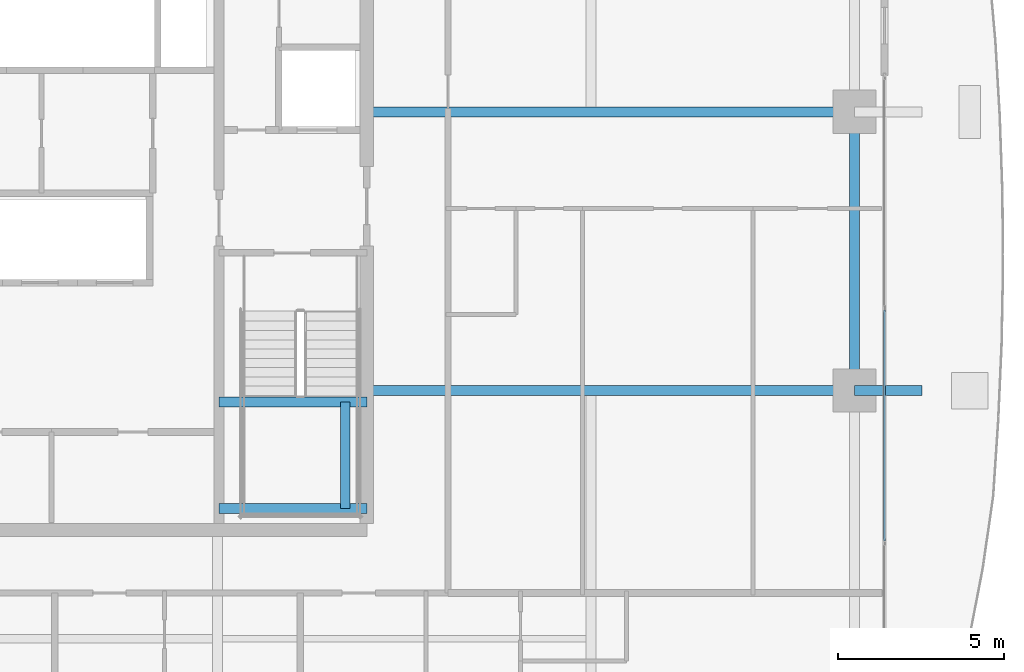
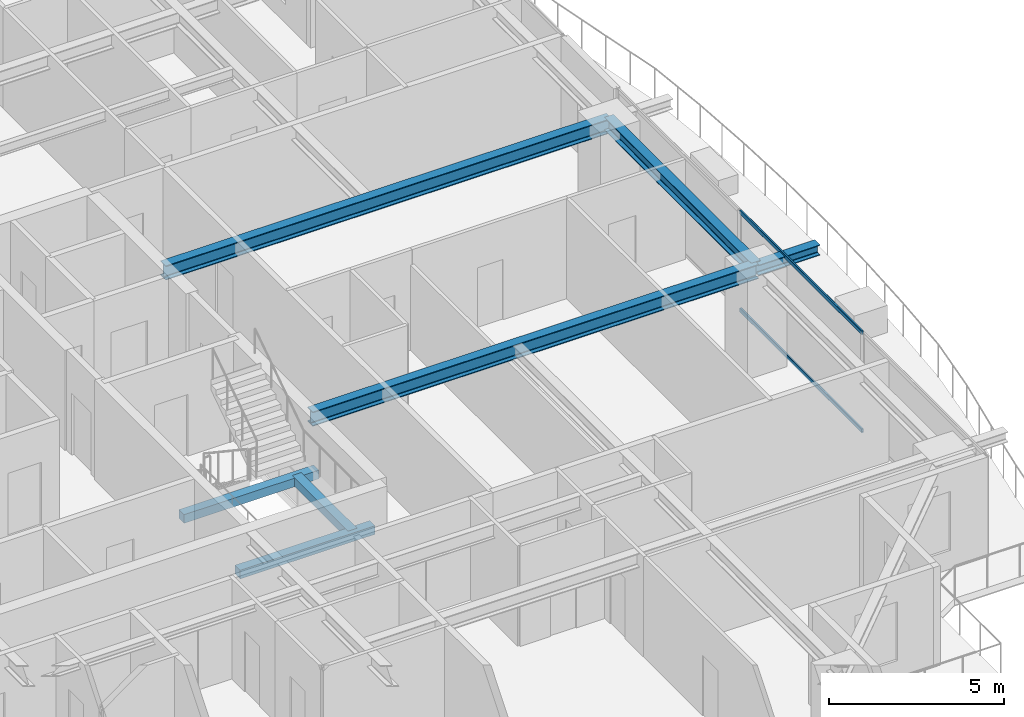
# One storey, part 12 of 33: 7 beams, 2 members, 1 element without a shape of its own.
"""IFC4 building model written with IfcOpenShell, lengths in metres."""

from ifc_helpers import new_model, si_unit, direction, frame, origin, origin_2d, place, context, subcontext, project, spatial, rectangle, hollow_rectangle, i_section, extrude, source, transform, mapped, material, layer, layer_set, material_profile, profile_set, type_object, element, aggregate, save


model = new_model("IFC4")

# Units and contexts
model_context = context("Model", 3, precision=1e-05, world=origin(), true_north=direction((0.0, 1.0)))
body_context = subcontext(model_context, "Body", "Model", "MODEL_VIEW")
ifc_project = project(units=[si_unit("LENGTHUNIT", "METRE"), si_unit("AREAUNIT", "SQUARE_METRE"), si_unit("VOLUMEUNIT", "CUBIC_METRE"), si_unit("PLANEANGLEUNIT", "RADIAN"), si_unit("MASSUNIT", "GRAM", prefix="KILO")], contexts=[model_context])

# Site, building, storey
site_placement = place(None, origin())
site = spatial("IfcSite", under=ifc_project, at=site_placement, CompositionType="ELEMENT")
building_placement = place(site_placement, origin())
building = spatial("IfcBuilding", under=site, at=building_placement, Name="Serunith Strait Residences", CompositionType="ELEMENT")
storey_placement = place(building_placement, frame((0.0, 0.0, 150.14990234375)))
storey = spatial("IfcBuildingStorey", under=building, at=storey_placement, Name="L37", CompositionType="ELEMENT", Elevation=150.14990234375)

# Beams
ifc_material_1 = material(Name="Steel S355J2", Category="steel")
ifc_material_profile_1 = material_profile(ifc_material_1, i_section(OverallWidth=0.300048828125, OverallDepth=0.449951171875, WebThickness=0.013916015625, FlangeThickness=0.02587890625, FilletRadius=0.027099609375, at=origin_2d()), Name="HEB 450")
ifc_profile_set_1 = profile_set([ifc_material_profile_1], Name="Steel S355J2")
beam_type_1 = type_object("IfcBeamType", Name="BM-HEB450", PredefinedType="BEAM", material=ifc_profile_set_1)
shared_shape_1 = source(origin(), body_context, "Body", "SweptSolid", [
    extrude(i_section(OverallWidth=0.300048828125, OverallDepth=0.449951171875, WebThickness=0.013916015625, FlangeThickness=0.02587890625, FilletRadius=0.027099609375, at=origin_2d()), origin(), (0.0, 0.0, 1.0), 8.39990234375),
])
beam_1_placement = place(storey_placement, frame((56.10009765625, 21.0, 3.26220703125), z_axis=(0.0, 1.0, 0.0), x_axis=(-1.0, 0.0, 0.0)))
element("IfcBeam", 1, at=beam_1_placement, inside=storey, type_object=beam_type_1, Name="L37 Perimeter Ring Beam 06", PredefinedType="BEAM", context=body_context, shape_type="MappedRepresentation", body=[
    mapped(shared_shape_1, transform((0.0, 0.0, 0.0), scale=1.0)),
])
ifc_material_profile_2 = material_profile(ifc_material_1, i_section(OverallWidth=0.300048828125, OverallDepth=0.5, WebThickness=0.014404296875, FlangeThickness=0.028076171875, FilletRadius=0.027099609375, at=origin_2d()), Name="HEB 500")
ifc_profile_set_2 = profile_set([ifc_material_profile_2], Name="Steel S355J2")
beam_type_2 = type_object("IfcBeamType", Name="BM-HEB500", PredefinedType="BEAM", material=ifc_profile_set_2)
shared_shape_2 = source(origin(), body_context, "Body", "SweptSolid", [
    extrude(i_section(OverallWidth=0.300048828125, OverallDepth=0.5, WebThickness=0.014404296875, FlangeThickness=0.028076171875, FilletRadius=0.027099609375, at=origin_2d()), origin(), (0.0, 0.0, 1.0), 14.7001953125),
])
for number, where, z_axis, x_axis, name in (
    (2, (41.39990234375, 21.0, 3.237060546875), (1.0, 0.0, 0.0), (0.0, 1.0, 0.0), "L37 Primary Floor Girder TC-E2"),
    (3, (41.39990234375, 29.39990234375, 3.237060546875), (1.0, 0.0, 0.0), (0.0, 1.0, 0.0), "L37 Primary Floor Girder TC-E3"),
):
    element("IfcBeam", number, at=place(storey_placement, frame(where, z_axis=z_axis, x_axis=x_axis)), inside=storey, type_object=beam_type_2, Name=name, PredefinedType="BEAM", context=body_context, shape_type="MappedRepresentation", body=[
        mapped(shared_shape_2, transform((0.0, 0.0, 0.0), scale=1.0)),
    ])
ifc_material_profile_3 = material_profile(ifc_material_1, i_section(OverallWidth=0.300048828125, OverallDepth=0.360107421875, WebThickness=0.012451171875, FlangeThickness=0.0224609375, FilletRadius=0.027099609375, at=origin_2d()), Name="HEB 360")
ifc_profile_set_3 = profile_set([ifc_material_profile_3], Name="Steel S355J2")
beam_type_3 = type_object("IfcBeamType", Name="BM-HEB360", PredefinedType="BEAM", material=ifc_profile_set_3)
shared_shape_3 = source(origin(), body_context, "Body", "SweptSolid", [
    extrude(i_section(OverallWidth=0.300048828125, OverallDepth=0.360107421875, WebThickness=0.012451171875, FlangeThickness=0.0224609375, FilletRadius=0.027099609375, at=origin_2d()), origin(), (0.0, 0.0, 1.0), 2.02978515625),
])
beam_2_placement = place(storey_placement, frame((56.10009765625, 21.0, 3.277099609375), z_axis=(1.0, 0.0, 0.0), x_axis=(0.0, 1.0, 0.0)))
element("IfcBeam", 4, at=beam_2_placement, inside=storey, type_object=beam_type_3, Name="L38 Cantilevered Balcony Rib TC-E2", PredefinedType="BEAM", context=body_context, shape_type="MappedRepresentation", body=[
    mapped(shared_shape_3, transform((0.0, 0.0, 0.0), scale=1.0)),
])
ifc_material_2 = material(Name="Concrete C60/75", Category="concrete")
ifc_material_profile_4 = material_profile(ifc_material_2, rectangle(XDim=0.300048828125, YDim=0.300048828125, at=origin_2d()), Name="RC 300x300")
ifc_profile_set_4 = profile_set([ifc_material_profile_4], Name="Concrete C60/75")
beam_type_4 = type_object("IfcBeamType", Name="BM-LAND-300x300", PredefinedType="BEAM", material=ifc_profile_set_4)
shared_shape_4 = source(origin(), body_context, "Body", "SweptSolid", [
    extrude(rectangle(XDim=0.300048828125, YDim=0.300048828125, at=origin_2d()), origin(), (0.0, 0.0, 1.0), 3.199951171875),
])
beam_3_placement = place(storey_placement, frame((40.75, 17.449951171875, 1.525146484375), z_axis=(0.0, 1.0, 0.0), x_axis=(-1.0, 0.0, 0.0)))
element("IfcBeam", 5, at=beam_3_placement, inside=storey, type_object=beam_type_4, Name="L37 ST-2 Landing Transverse Tie Beam", PredefinedType="BEAM", context=body_context, shape_type="MappedRepresentation", body=[
    mapped(shared_shape_4, transform((0.0, 0.0, 0.0), scale=1.0)),
])
shared_shape_5 = source(origin(), body_context, "Body", "SweptSolid", [
    extrude(rectangle(XDim=0.300048828125, YDim=0.300048828125, at=origin_2d()), origin(), (0.0, 0.0, 1.0), 4.449951171875),
])
for number, where, z_axis, x_axis, name in (
    (6, (36.949951171875, 17.449951171875, 1.525146484375), (1.0, 0.0, 0.0), (0.0, 1.0, 0.0), "L37 ST-2 Landing Support Beam 1"),
    (7, (36.949951171875, 20.64990234375, 1.525146484375), (1.0, 0.0, 0.0), (0.0, 1.0, 0.0), "L37 ST-2 Landing Support Beam 2"),
):
    element("IfcBeam", number, at=place(storey_placement, frame(where, z_axis=z_axis, x_axis=x_axis)), inside=storey, type_object=beam_type_4, Name=name, PredefinedType="BEAM", context=body_context, shape_type="MappedRepresentation", body=[
        mapped(shared_shape_5, transform((0.0, 0.0, 0.0), scale=1.0)),
    ])

# Curtain wall, members
ifc_material_3 = material(Name="Pale-Champagne Anodised Aluminium", Category="aluminium")
ifc_layer = layer(ifc_material_3, 0.199951171875, Name="Pale-Champagne Anodised Aluminium")
ifc_layer_set = layer_set([ifc_layer], Name="Pale-Champagne Anodised Aluminium")
curtain_wall_type = type_object("IfcCurtainWallType", Name="CW-SYS2", PredefinedType="NOTDEFINED", material=ifc_layer_set)
curtain_wall_placement = place(storey_placement, origin())
curtain_wall = element("IfcCurtainWall", 8, at=curtain_wall_placement, inside=storey, type_object=curtain_wall_type, Name="L37 E Unitised Fritted Curtain Wall", PredefinedType="NOTDEFINED")
ifc_material_profile_5 = material_profile(ifc_material_3, hollow_rectangle(XDim=0.06005859375, YDim=0.139892578125, WallThickness=0.00341796875, InnerFilletRadius=0.00537109375, OuterFilletRadius=0.0087890625, at=origin_2d()), Name="ALU 140x60x3.5")
ifc_profile_set_5 = profile_set([ifc_material_profile_5], Name="Pale-Champagne Anodised Aluminium")
member_type = type_object("IfcMemberType", Name="CW-SYS2-TRAN", PredefinedType="USERDEFINED", material=ifc_profile_set_5)
shared_shape_6 = source(origin(), body_context, "Body", "SweptSolid", [
    extrude(hollow_rectangle(XDim=0.06005859375, YDim=0.139892578125, WallThickness=0.00341796875, InnerFilletRadius=0.00537109375, OuterFilletRadius=0.0087890625, at=origin_2d()), origin(), (0.0, 0.0, 1.0), 6.96337890625),
])
member_1_placement = place(storey_placement, frame((57.0, 16.46826171875, 0.030029296875), z_axis=(0.0, 1.0, 0.0), x_axis=(-1.0, 0.0, 0.0)))
member_1 = element("IfcMember", 9, at=member_1_placement, type_object=member_type, Name="CW-2 transom 2.1", ObjectType="TRANSOM", PredefinedType="USERDEFINED", context=body_context, shape_type="MappedRepresentation", body=[
    mapped(shared_shape_6, transform((0.0, 0.0, 0.0), scale=1.0)),
])
member_2_placement = place(storey_placement, frame((57.0, 16.46826171875, 3.445068359375), z_axis=(0.0, 1.0, 0.0), x_axis=(-1.0, 0.0, 0.0)))
member_2 = element("IfcMember", 10, at=member_2_placement, type_object=member_type, Name="CW-2 transom 2.2", ObjectType="TRANSOM", PredefinedType="USERDEFINED", context=body_context, shape_type="MappedRepresentation", body=[
    mapped(shared_shape_6, transform((0.0, 0.0, 0.0), scale=1.0)),
])
aggregate(curtain_wall, [member_1, member_2])

save(model, "model.ifc")
